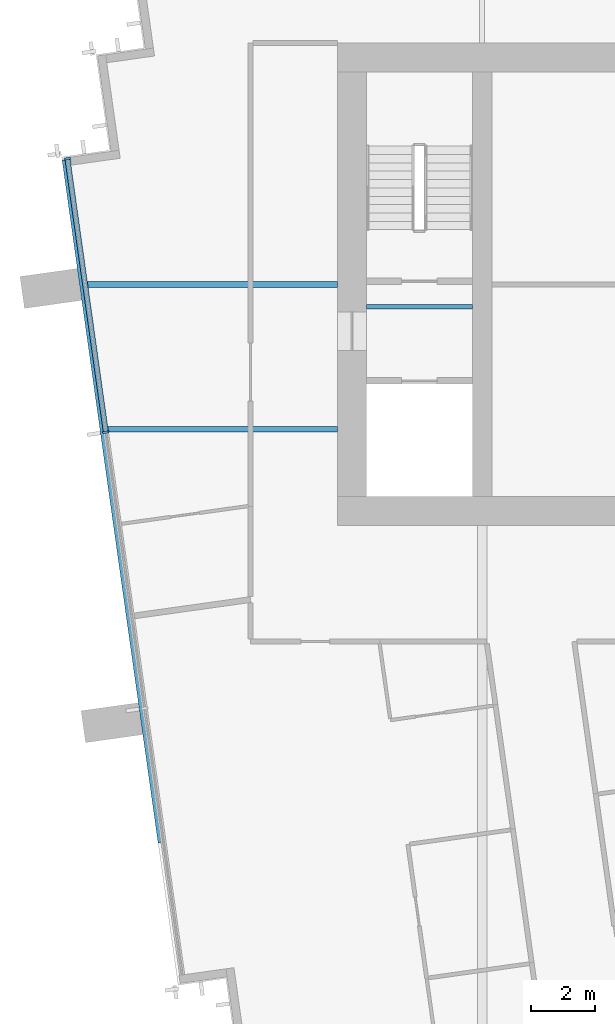
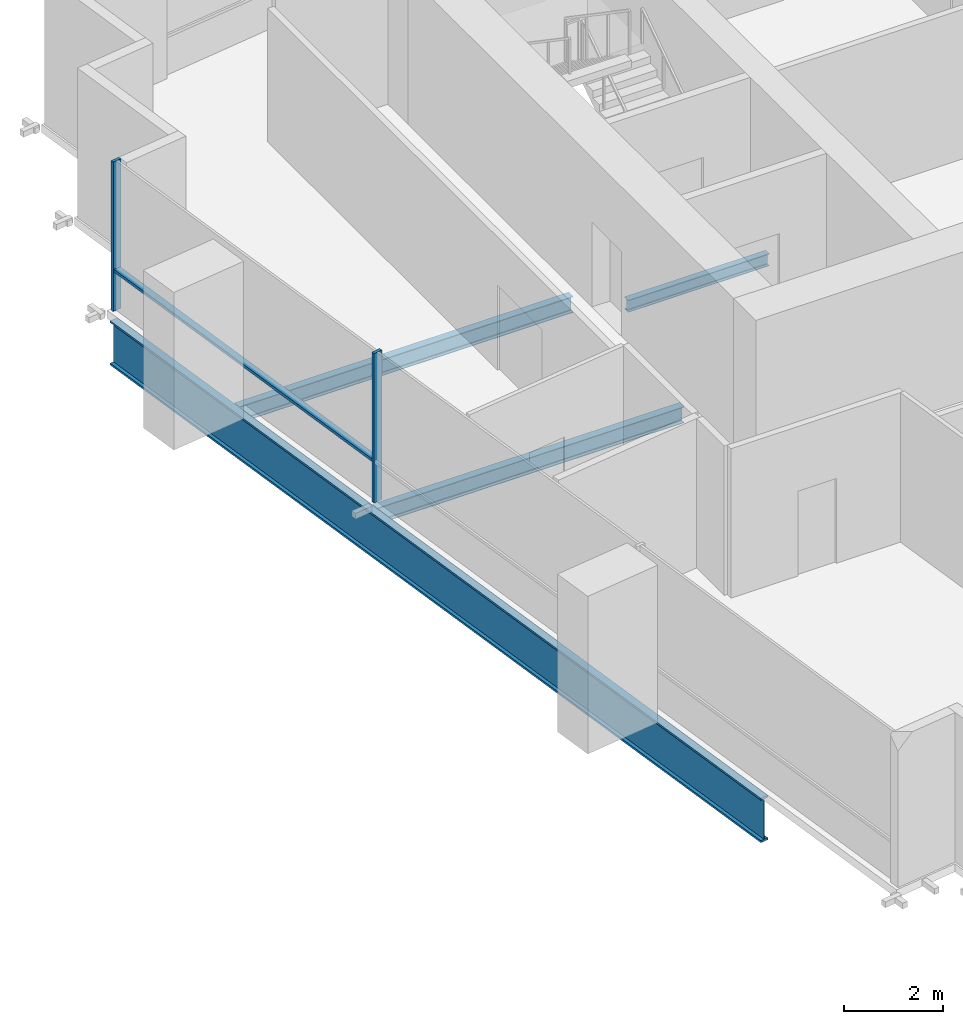
# One storey, part 3 of 12: 4 beams, 3 members, 1 element without a shape of its own.
"""IFC4 building model written with IfcOpenShell, lengths in metres."""

from ifc_helpers import new_model, si_unit, direction, frame, origin, origin_2d, place, context, subcontext, project, spatial, rectangle, i_section, extrude, material, layer, layer_set, material_profile, profile_set, type_object, element, aggregate, save


model = new_model("IFC4")

# Units and contexts
model_context = context("Model", 3, precision=1e-05, world=origin(), true_north=direction((0.0, 1.0)))
body_context = subcontext(model_context, "Body", "Model", "MODEL_VIEW")
ifc_project = project(units=[si_unit("LENGTHUNIT", "METRE"), si_unit("AREAUNIT", "SQUARE_METRE"), si_unit("VOLUMEUNIT", "CUBIC_METRE"), si_unit("PLANEANGLEUNIT", "RADIAN"), si_unit("MASSUNIT", "GRAM", prefix="KILO")], contexts=[model_context])

# Site, building, storey
site_placement = place(None, origin())
site = spatial("IfcSite", under=ifc_project, at=site_placement, CompositionType="ELEMENT")
building_placement = place(site_placement, origin())
building = spatial("IfcBuilding", under=site, at=building_placement, Name="Rattan Terrace Tower", CompositionType="ELEMENT")
storey_placement = place(building_placement, frame((0.0, 0.0, 270.699951171875)))
storey = spatial("IfcBuildingStorey", under=building, at=storey_placement, Name="L62", CompositionType="ELEMENT", Elevation=270.699951171875)

# Beams
ifc_material_1 = material(Name="Steel S460", Category="steel")
ifc_material_profile_1 = material_profile(ifc_material_1, i_section(OverallWidth=0.179931640625, OverallDepth=1.10009765625, WebThickness=0.01611328125, FlangeThickness=0.050048828125, at=origin_2d()), Name="PG 1100x180-16-50")
ifc_profile_set_1 = profile_set([ifc_material_profile_1], Name="Steel S460")
beam_type_1 = type_object("IfcBeamType", Name="Frame edge girder PG 1100x180-16-50", PredefinedType="SPANDREL", material=ifc_profile_set_1)
beam_1_placement = place(storey_placement, frame((-23.485107421875, -17.347900390625, -0.75), z_axis=(-0.139189723544, 0.990265732448, 0.0), x_axis=(-0.990265732448, -0.139189723544, 0.0)))
element("IfcBeam", 1, at=beam_1_placement, inside=storey, type_object=beam_type_1, Name="gdr-L62-003", PredefinedType="SPANDREL", context=body_context, shape_type="SweptSolid", body=[
    extrude(i_section(OverallWidth=0.179931640625, OverallDepth=1.10009765625, WebThickness=0.01611328125, FlangeThickness=0.050048828125, at=origin_2d()), origin(), (0.0, 0.0, 1.0), 21.430419921875),
])
ifc_material_2 = material(Name="Steel S355", Category="steel")
ifc_material_profile_2 = material_profile(ifc_material_2, i_section(OverallWidth=0.14990234375, OverallDepth=0.300048828125, WebThickness=0.007080078125, FlangeThickness=0.0107421875, FilletRadius=0.014892578125, at=origin_2d()), Name="IPE 300")
ifc_profile_set_2 = profile_set([ifc_material_profile_2], Name="Steel S355")
beam_type_2 = type_object("IfcBeamType", Name="Frame floor beam IPE 300", PredefinedType="JOIST", material=ifc_profile_set_2)
beam_2_placement = place(storey_placement, frame((-17.10009765625, -0.695068359375, -0.349853515625), z_axis=(1.0, 0.0, 0.0), x_axis=(0.0, 1.0, 0.0)))
element("IfcBeam", 2, at=beam_2_placement, inside=storey, type_object=beam_type_2, Name="bm-L62-001", PredefinedType="JOIST", context=body_context, shape_type="SweptSolid", body=[
    extrude(i_section(OverallWidth=0.14990234375, OverallDepth=0.300048828125, WebThickness=0.007080078125, FlangeThickness=0.0107421875, FilletRadius=0.014892578125, at=origin_2d()), origin(), (0.0, 0.0, 1.0), 3.300048828125),
])
ifc_material_3 = material(Name="Steel S355", Category="steel")
ifc_material_profile_3 = material_profile(ifc_material_3, i_section(OverallWidth=0.179931640625, OverallDepth=0.39990234375, WebThickness=0.008544921875, FlangeThickness=0.013427734375, FilletRadius=0.02099609375, at=origin_2d()), Name="IPE 400")
ifc_profile_set_3 = profile_set([ifc_material_profile_3], Name="Steel S355")
beam_type_3 = type_object("IfcBeamType", Name="Frame floor beam IPE 400", PredefinedType="JOIST", material=ifc_profile_set_3)
beam_3_placement = place(storey_placement, frame((-25.18701171875, -4.5, -0.39990234375), z_axis=(1.0, 0.0, 0.0), x_axis=(0.0, 1.0, 0.0)))
element("IfcBeam", 3, at=beam_3_placement, inside=storey, type_object=beam_type_3, Name="bm-L62-010", PredefinedType="JOIST", context=body_context, shape_type="SweptSolid", body=[
    extrude(i_section(OverallWidth=0.179931640625, OverallDepth=0.39990234375, WebThickness=0.008544921875, FlangeThickness=0.013427734375, FilletRadius=0.02099609375, at=origin_2d()), origin(), (0.0, 0.0, 1.0), 7.18701171875),
])
beam_4_placement = place(storey_placement, frame((-25.820068359375, 0.0, -0.39990234375), z_axis=(1.0, 0.0, 0.0), x_axis=(0.0, 1.0, 0.0)))
element("IfcBeam", 4, at=beam_4_placement, inside=storey, type_object=beam_type_3, Name="bm-L62-012", PredefinedType="JOIST", context=body_context, shape_type="SweptSolid", body=[
    extrude(i_section(OverallWidth=0.179931640625, OverallDepth=0.39990234375, WebThickness=0.008544921875, FlangeThickness=0.013427734375, FilletRadius=0.02099609375, at=origin_2d()), origin(), (0.0, 0.0, 1.0), 7.820068359375),
])

# Curtain wall, members
ifc_material_4 = material(Name="Aluminium and laminated glass", Category="aluminium")
ifc_layer = layer(ifc_material_4, 0.199951171875)
ifc_layer_set = layer_set([ifc_layer], Name="High-Zone Unitised Curtain Wall")
curtain_wall_type = type_object("IfcCurtainWallType", Name="High-Zone Unitised Curtain Wall", PredefinedType="NOTDEFINED", material=ifc_layer_set)
curtain_wall_placement = place(storey_placement, origin())
curtain_wall = element("IfcCurtainWall", 5, at=curtain_wall_placement, inside=storey, type_object=curtain_wall_type, Name="High-zone curtain wall L62-3", PredefinedType="NOTDEFINED")
ifc_material_5 = material(Name="Aluminium", Category="aluminium")
ifc_material_profile_4 = material_profile(ifc_material_5, rectangle(XDim=0.070068359375, YDim=0.199951171875, at=origin_2d()), Name="Aluminium 70x200")
ifc_profile_set_4 = profile_set([ifc_material_profile_4], Name="Aluminium")
member_type_1 = type_object("IfcMemberType", Name="High-Zone CW Mullion 70x200", PredefinedType="MULLION", material=ifc_profile_set_4)
member_1_placement = place(storey_placement, frame((-26.3916015625, 3.908447265625, 0.0), z_axis=(0.0, 0.0, 1.0), x_axis=(0.139191775431, -0.990265444036, 0.0)))
member_1 = element("IfcMember", 6, at=member_1_placement, type_object=member_type_1, Name="Mullion cwl-L62-003.1", PredefinedType="MULLION", context=body_context, shape_type="SweptSolid", body=[
    extrude(rectangle(XDim=0.070068359375, YDim=0.199951171875, at=origin_2d()), origin(), (0.0, 0.0, 1.0), 3.699951171875),
])
member_2_placement = place(storey_placement, frame((-25.1962890625, -4.594970703125, 0.0), z_axis=(0.0, 0.0, 1.0), x_axis=(0.139191775431, -0.990265444036, 0.0)))
member_2 = element("IfcMember", 7, at=member_2_placement, type_object=member_type_1, Name="Mullion cwl-L62-003.2", PredefinedType="MULLION", context=body_context, shape_type="SweptSolid", body=[
    extrude(rectangle(XDim=0.070068359375, YDim=0.199951171875, at=origin_2d()), origin(), (0.0, 0.0, 1.0), 3.699951171875),
])
ifc_material_6 = material(Name="Aluminium", Category="aluminium")
ifc_material_profile_5 = material_profile(ifc_material_6, rectangle(XDim=0.159912109375, YDim=0.070068359375, at=origin_2d()), Name="Aluminium 160x70")
ifc_profile_set_5 = profile_set([ifc_material_profile_5], Name="Aluminium")
member_type_2 = type_object("IfcMemberType", Name="High-Zone CW Transom 160x70", PredefinedType="USERDEFINED", material=ifc_profile_set_5)
member_3_placement = place(storey_placement, frame((-26.38671875, 3.873779296875, 1.0), z_axis=(0.139197734293, -0.99026460644, 0.0), x_axis=(0.99026460644, 0.139197734293, 0.0)))
member_3 = element("IfcMember", 8, at=member_3_placement, type_object=member_type_2, Name="Transom cwl-L62-003.1", ObjectType="TRANSOM", PredefinedType="USERDEFINED", context=body_context, shape_type="SweptSolid", body=[
    extrude(rectangle(XDim=0.159912109375, YDim=0.070068359375, at=origin_2d()), origin(), (0.0, 0.0, 1.0), 8.51708984375),
])
aggregate(curtain_wall, [member_1, member_2, member_3])

save(model, "model.ifc")
